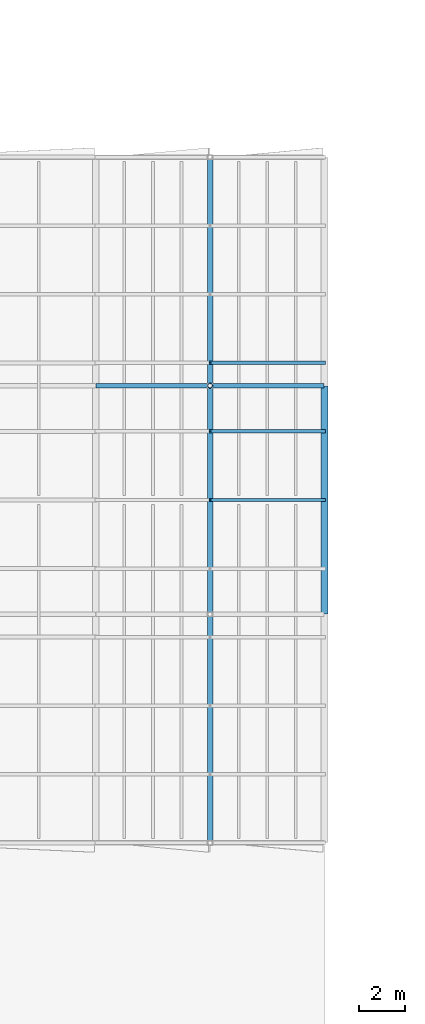
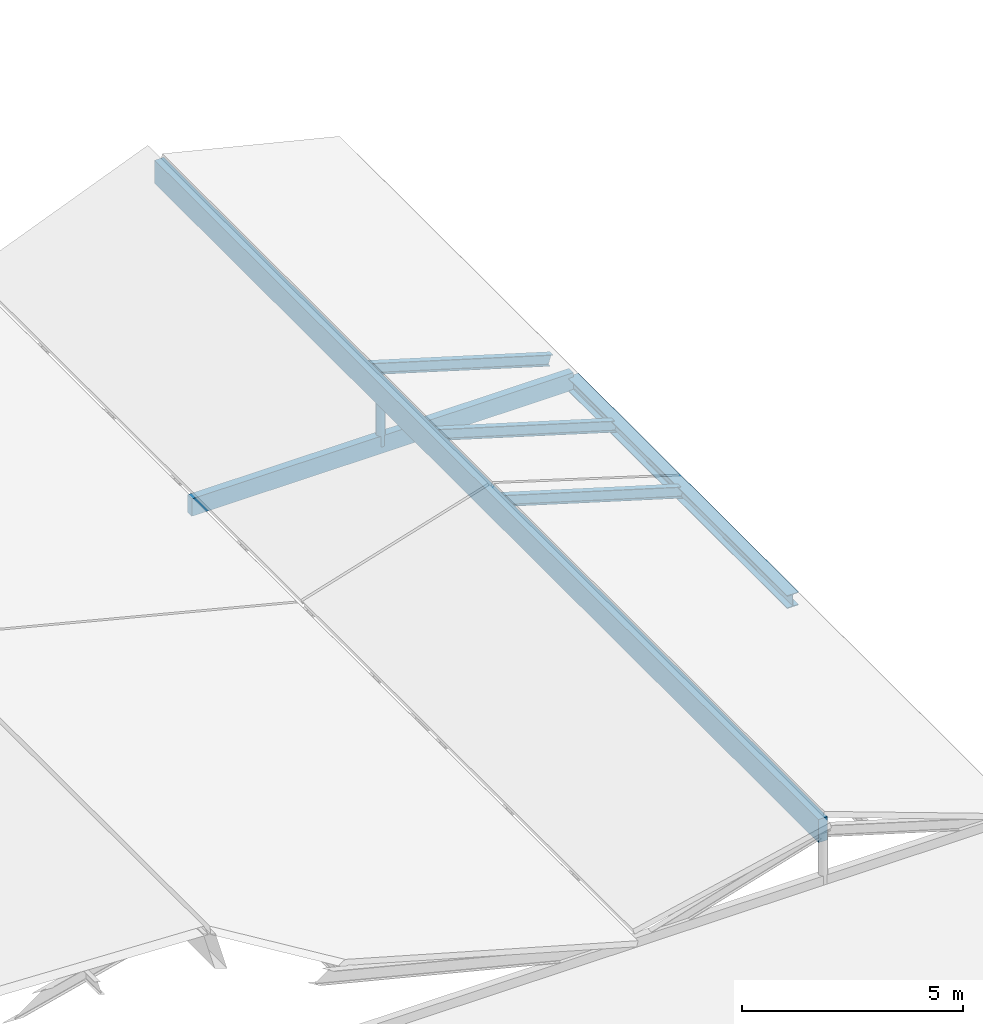
# One storey, part 5 of 90: 4 members, 3 beams.
"""IFC4 building model written with IfcOpenShell, lengths in metres."""

from ifc_helpers import new_model, si_unit, direction, frame, origin, origin_2d, place, context, subcontext, project, spatial, rectangle, hollow_circle, i_section, extrude, material, material_profile, profile_set, type_object, element, save


model = new_model("IFC4")

# Units and contexts
model_context = context("Model", 3, precision=1e-05, world=origin(), true_north=direction((0.0, 1.0)))
body_context = subcontext(model_context, "Body", "Model", "MODEL_VIEW")
ifc_project = project(units=[si_unit("LENGTHUNIT", "METRE"), si_unit("AREAUNIT", "SQUARE_METRE"), si_unit("VOLUMEUNIT", "CUBIC_METRE"), si_unit("PLANEANGLEUNIT", "RADIAN"), si_unit("MASSUNIT", "GRAM", prefix="KILO"), si_unit("THERMODYNAMICTEMPERATUREUNIT", "KELVIN"), si_unit("POWERUNIT", "WATT")], contexts=[model_context])

# Site, building, storey
site_placement = place(None, origin())
site = spatial("IfcSite", under=ifc_project, at=site_placement, CompositionType="ELEMENT")
building_placement = place(site_placement, origin())
building = spatial("IfcBuilding", under=site, at=building_placement, Name="Korenveer Ferry Terminal", CompositionType="ELEMENT")
storey_placement = place(building_placement, frame((0.0, 0.0, 22.199951171875)))
storey = spatial("IfcBuildingStorey", under=building, at=storey_placement, Name="RF", CompositionType="ELEMENT", Elevation=22.199951171875)

# Beam
ifc_material_1 = material(Name="Steel S355", Category="steel")
ifc_material_profile_1 = material_profile(ifc_material_1, i_section(OverallWidth=0.300048828125, OverallDepth=0.360107421875, WebThickness=0.012451171875, FlangeThickness=0.0224609375, FilletRadius=0.027099609375, at=origin_2d()), Name="HEB 360")
ifc_profile_set_1 = profile_set([ifc_material_profile_1], Name="Steel S355")
beam_type_1 = type_object("IfcBeamType", Name="STR-BM-HEB360", PredefinedType="BEAM", material=ifc_profile_set_1)
beam_1_placement = place(storey_placement, frame((30.0, 40.02001953125, 0.179931640625), z_axis=(0.0, 1.0, 0.0), x_axis=(-1.0, 0.0, 0.0)))
element("IfcBeam", 1, at=beam_1_placement, inside=storey, type_object=beam_type_1, Name="Wing eave beam WESTL4E 184", PredefinedType="BEAM", context=body_context, shape_type="SweptSolid", body=[
    extrude(i_section(OverallWidth=0.300048828125, OverallDepth=0.360107421875, WebThickness=0.012451171875, FlangeThickness=0.0224609375, FilletRadius=0.027099609375, at=origin_2d()), origin(), (0.0, 0.0, 1.0), 9.9599609375),
])

# Members
ifc_material_profile_2 = material_profile(ifc_material_1, i_section(OverallWidth=0.14990234375, OverallDepth=0.300048828125, WebThickness=0.007080078125, FlangeThickness=0.0107421875, FilletRadius=0.014892578125, at=origin_2d()), Name="IPE 300")
ifc_profile_set_2 = profile_set([ifc_material_profile_2], Name="Steel S355")
member_type_1 = type_object("IfcMemberType", Name="STR-RAF-IPE300", PredefinedType="RAFTER", material=ifc_profile_set_2)
for number, where, z_axis, x_axis, name in (
    (2, (25.0, 45.0, 1.679931640625), (0.957826285221, 0.0, -0.287347885566), (0.0, 1.0, 0.0), "Pitched roof rafter 118"),
    (3, (25.0, 48.0, 1.679931640625), (0.957826285221, 0.0, -0.287347885566), (0.0, 1.0, 0.0), "Pitched roof rafter 120"),
    (4, (25.0, 51.0, 1.679931640625), (0.957826285221, 0.0, -0.287347885566), (0.0, 1.0, 0.0), "Pitched roof rafter 122"),
):
    element("IfcMember", number, at=place(storey_placement, frame(where, z_axis=z_axis, x_axis=x_axis)), inside=storey, type_object=member_type_1, Name=name, PredefinedType="RAFTER", context=body_context, shape_type="SweptSolid", body=[
        extrude(i_section(OverallWidth=0.14990234375, OverallDepth=0.300048828125, WebThickness=0.007080078125, FlangeThickness=0.0107421875, FilletRadius=0.014892578125, at=origin_2d()), origin(), (0.0, 0.0, 1.0), 5.22021484375),
    ])

# Beams
ifc_material_2 = material(Name="Glulam GL28h", Category="wood")
ifc_material_profile_3 = material_profile(ifc_material_2, rectangle(XDim=0.199951171875, YDim=0.47998046875, at=origin_2d()), Name="GL 200x480")
ifc_profile_set_3 = profile_set([ifc_material_profile_3], Name="Glulam GL28h")
beam_type_2 = type_object("IfcBeamType", Name="STR-RFG-GL200", PredefinedType="USERDEFINED", material=ifc_profile_set_3)
beam_2_placement = place(storey_placement, frame((20.02001953125, 50.0, 0.239990234375), z_axis=(1.0, 0.0, 0.0), x_axis=(0.0, 1.0, 0.0)))
element("IfcBeam", 5, at=beam_2_placement, inside=storey, type_object=beam_type_2, Name="Wing roof collar tie WESTL4E 189", ObjectType="ROOF GIRDER", PredefinedType="USERDEFINED", context=body_context, shape_type="SweptSolid", body=[
    extrude(rectangle(XDim=0.199951171875, YDim=0.47998046875, at=origin_2d()), origin(), (0.0, 0.0, 1.0), 9.9599609375),
])
ifc_material_profile_4 = material_profile(ifc_material_2, rectangle(XDim=0.239990234375, YDim=0.639892578125, at=origin_2d()), Name="GL 240x640")
ifc_profile_set_4 = profile_set([ifc_material_profile_4], Name="Glulam GL28h")
beam_type_3 = type_object("IfcBeamType", Name="STR-RFG-GL240B", PredefinedType="USERDEFINED", material=ifc_profile_set_4)
beam_3_placement = place(storey_placement, frame((25.0, 30.0, 1.679931640625), z_axis=(0.0, 1.0, 0.0), x_axis=(-1.0, 0.0, 0.0)))
element("IfcBeam", 6, at=beam_3_placement, inside=storey, type_object=beam_type_3, Name="Wing roof glulam ridge beam WESTL4E", ObjectType="ROOF GIRDER", PredefinedType="USERDEFINED", context=body_context, shape_type="SweptSolid", body=[
    extrude(rectangle(XDim=0.239990234375, YDim=0.639892578125, at=origin_2d()), origin(), (0.0, 0.0, 1.0), 30.0),
])

# Member
ifc_material_profile_5 = material_profile(ifc_material_1, hollow_circle(Radius=0.109619140625, WallThickness=0.012451171875, at=origin_2d()), Name="CHS 219.1x12.5")
ifc_profile_set_5 = profile_set([ifc_material_profile_5], Name="Steel S355")
member_type_2 = type_object("IfcMemberType", Name="STR-STT-CHS219", PredefinedType="STRUT", material=ifc_profile_set_5)
member_placement = place(storey_placement, frame((25.0, 50.0, 0.179931640625), z_axis=(0.0, 0.0, 1.0), x_axis=(1.0, 0.0, 0.0)))
element("IfcMember", 7, at=member_placement, inside=storey, type_object=member_type_2, Name="Wing ridge strut STTWR-WESTL4E-Y50", PredefinedType="STRUT", context=body_context, shape_type="SweptSolid", body=[
    extrude(hollow_circle(Radius=0.109619140625, WallThickness=0.012451171875, at=origin_2d()), origin(), (0.0, 0.0, 1.0), 1.5),
])

save(model, "model.ifc")
